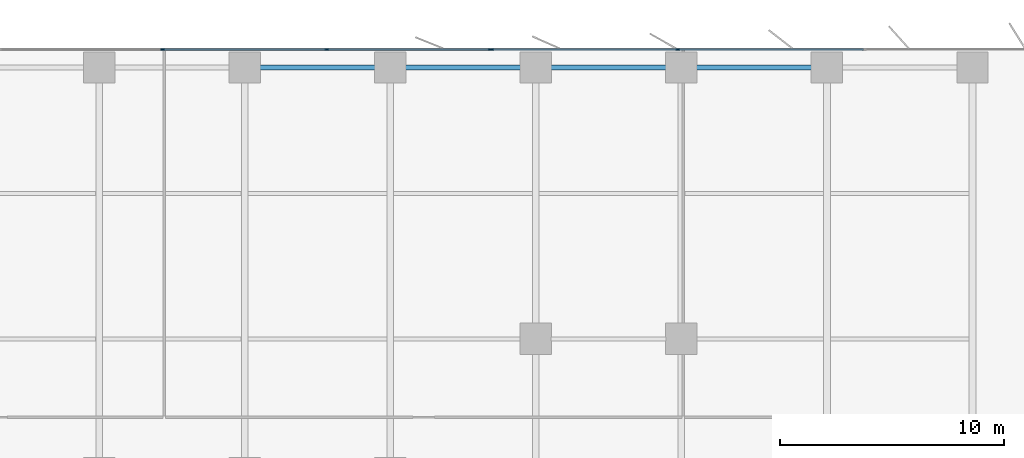
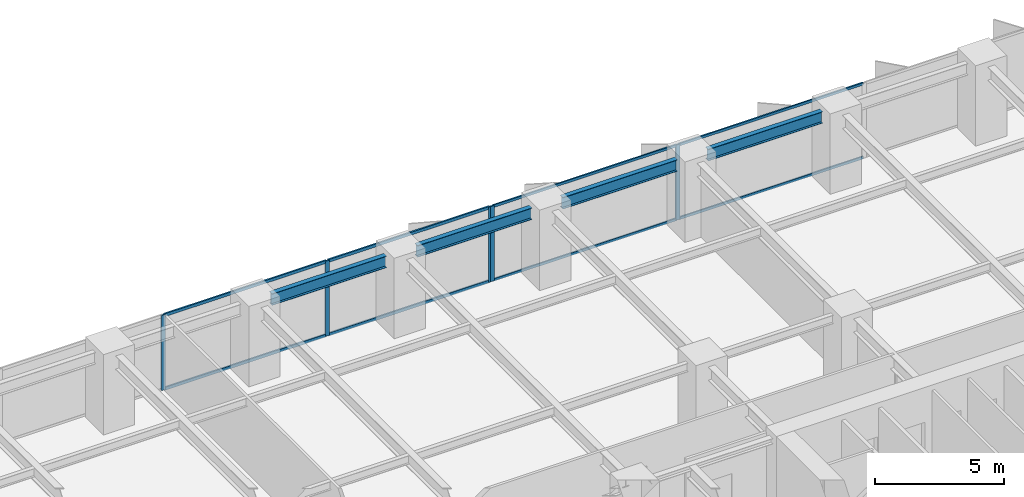
# One storey, part 9 of 20: 13 members, 4 beams, 2 elements without a shape of their own.
"""IFC4 building model written with IfcOpenShell, lengths in metres."""

from ifc_helpers import new_model, si_unit, direction, frame, origin, origin_2d, place, context, subcontext, project, spatial, rectangle, i_section, extrude, material, layer, layer_set, material_profile, profile_set, type_object, element, aggregate, save


model = new_model("IFC4")

# Units and contexts
model_context = context("Model", 3, precision=1e-05, world=origin(), true_north=direction((0.0, 1.0)))
body_context = subcontext(model_context, "Body", "Model", "MODEL_VIEW")
ifc_project = project(units=[si_unit("LENGTHUNIT", "METRE"), si_unit("AREAUNIT", "SQUARE_METRE"), si_unit("VOLUMEUNIT", "CUBIC_METRE"), si_unit("PLANEANGLEUNIT", "RADIAN"), si_unit("MASSUNIT", "GRAM", prefix="KILO")], contexts=[model_context])

# Site, building, storey
site_placement = place(None, origin())
site = spatial("IfcSite", under=ifc_project, at=site_placement, CompositionType="ELEMENT")
building_placement = place(site_placement, origin())
building = spatial("IfcBuilding", under=site, at=building_placement, Name="Putna Gate Headquarters", CompositionType="ELEMENT")
storey_placement = place(building_placement, frame((0.0, 0.0, 46.800048828125)))
storey = spatial("IfcBuildingStorey", under=building, at=storey_placement, Name="L10", CompositionType="ELEMENT", Elevation=46.800048828125)

# Beams
ifc_material_1 = material(Name="Steel S355J2", Category="steel")
ifc_material_profile_1 = material_profile(ifc_material_1, i_section(OverallWidth=0.2099609375, OverallDepth=0.550048828125, WebThickness=0.010986328125, FlangeThickness=0.01708984375, at=origin_2d()), Name="Steel S355J2")
ifc_profile_set_1 = profile_set([ifc_material_profile_1], Name="Steel S355J2")
beam_type = type_object("IfcBeamType", Name="BM-SPAN-Z1-IPE550", PredefinedType="SPANDREL", material=ifc_profile_set_1)
for number, where, z_axis, x_axis, name in (
    (1, (39.68798828125, 51.1201171875, 3.27490234375), (1.0, 0.0, 0.0), (0.0, 1.0, 0.0), "L10 N Perimeter Spandrel 6"),
    (2, (46.18798828125, 51.1201171875, 3.27490234375), (1.0, 0.0, 0.0), (0.0, 1.0, 0.0), "L10 N Perimeter Spandrel 7"),
    (3, (52.68798828125, 51.1201171875, 3.27490234375), (1.0, 0.0, 0.0), (0.0, 1.0, 0.0), "L10 N Perimeter Spandrel 8"),
    (4, (59.18798828125, 51.1201171875, 3.27490234375), (1.0, 0.0, 0.0), (0.0, 1.0, 0.0), "L10 N Perimeter Spandrel 9"),
):
    element("IfcBeam", number, at=place(storey_placement, frame(where, z_axis=z_axis, x_axis=x_axis)), inside=storey, type_object=beam_type, Name=name, PredefinedType="SPANDREL", context=body_context, shape_type="SweptSolid", body=[
        extrude(i_section(OverallWidth=0.2099609375, OverallDepth=0.550048828125, WebThickness=0.010986328125, FlangeThickness=0.01708984375, at=origin_2d()), origin(), (0.0, 0.0, 1.0), 5.1240234375),
    ])

# Curtain wall, members
ifc_material_2 = material(Name="Anodised bronze aluminium curtain wall", Category="aluminium")
ifc_layer_1 = layer(ifc_material_2, 0.179931640625)
ifc_layer_set_1 = layer_set([ifc_layer_1], Name="Anodised bronze aluminium curtain wall")
curtain_wall_type_1 = type_object("IfcCurtainWallType", Name="CW-SYS-Z1", PredefinedType="USERDEFINED", material=ifc_layer_set_1)
curtain_wall_1_placement = place(storey_placement, origin())
curtain_wall_1 = element("IfcCurtainWall", 5, at=curtain_wall_1_placement, inside=storey, type_object=curtain_wall_type_1, Name="L10 North East Curtain Wall", ObjectType="STICK CURTAIN WALL", PredefinedType="USERDEFINED")
ifc_material_3 = material(Name="Anodised bronze aluminium EN AW-6060", Category="aluminium")
ifc_material_profile_2 = material_profile(ifc_material_3, rectangle(XDim=0.070068359375, YDim=0.179931640625, at=origin_2d()), Name="Anodised bronze aluminium EN AW-6060")
ifc_profile_set_2 = profile_set([ifc_material_profile_2], Name="Anodised bronze aluminium EN AW-6060")
member_type_1 = type_object("IfcMemberType", Name="MULL-CWM-1", PredefinedType="MULLION", material=ifc_profile_set_2)
member_1_placement = place(storey_placement, frame((50.034912109375, 51.919921875, 0.0), z_axis=(0.0, 0.0, 1.0), x_axis=(0.0, 1.0, 0.0)))
member_1 = element("IfcMember", 6, at=member_1_placement, type_object=member_type_1, Name="CWS-1 mullion 1", PredefinedType="MULLION", context=body_context, shape_type="SweptSolid", body=[
    extrude(rectangle(XDim=0.070068359375, YDim=0.179931640625, at=origin_2d()), origin(), (0.0, 0.0, 1.0), 3.550048828125),
])
member_2_placement = place(storey_placement, frame((58.333251953125, 51.919921875, 0.0), z_axis=(0.0, 0.0, 1.0), x_axis=(0.0, 1.0, 0.0)))
member_2 = element("IfcMember", 7, at=member_2_placement, type_object=member_type_1, Name="CWS-1 mullion 2", PredefinedType="MULLION", context=body_context, shape_type="SweptSolid", body=[
    extrude(rectangle(XDim=0.070068359375, YDim=0.179931640625, at=origin_2d()), origin(), (0.0, 0.0, 1.0), 3.550048828125),
])

ifc_layer_2 = layer(ifc_material_2, 0.179931640625)
ifc_layer_set_2 = layer_set([ifc_layer_2], Name="Anodised bronze aluminium curtain wall")
curtain_wall_type_2 = type_object("IfcCurtainWallType", Name="CW-SYS-ATR", PredefinedType="USERDEFINED", material=ifc_layer_set_2)
curtain_wall_2_placement = place(storey_placement, origin())
curtain_wall_2 = element("IfcCurtainWall", 8, at=curtain_wall_2_placement, inside=storey, type_object=curtain_wall_type_2, Name="L10 North Atrium Clear Glazing", ObjectType="ATRIUM GLAZING", PredefinedType="USERDEFINED")
ifc_material_profile_3 = material_profile(ifc_material_3, rectangle(XDim=0.070068359375, YDim=0.179931640625, at=origin_2d()), Name="Anodised bronze aluminium EN AW-6060")
ifc_profile_set_3 = profile_set([ifc_material_profile_3], Name="Anodised bronze aluminium EN AW-6060")
member_type_2 = type_object("IfcMemberType", Name="MULL-CWM-AT", PredefinedType="MULLION", material=ifc_profile_set_3)
member_3_placement = place(storey_placement, frame((35.333251953125, 51.919921875, 0.0), z_axis=(0.0, 0.0, 1.0), x_axis=(0.0, 1.0, 0.0)))
member_3 = element("IfcMember", 9, at=member_3_placement, type_object=member_type_2, Name="CWS-AT mullion 2", PredefinedType="MULLION", context=body_context, shape_type="SweptSolid", body=[
    extrude(rectangle(XDim=0.070068359375, YDim=0.179931640625, at=origin_2d()), origin(), (0.0, 0.0, 1.0), 3.550048828125),
])
member_4_placement = place(storey_placement, frame((42.666748046875, 51.919921875, 0.0), z_axis=(0.0, 0.0, 1.0), x_axis=(0.0, 1.0, 0.0)))
member_4 = element("IfcMember", 10, at=member_4_placement, type_object=member_type_2, Name="CWS-AT mullion 3", PredefinedType="MULLION", context=body_context, shape_type="SweptSolid", body=[
    extrude(rectangle(XDim=0.070068359375, YDim=0.179931640625, at=origin_2d()), origin(), (0.0, 0.0, 1.0), 3.550048828125),
])
member_5_placement = place(storey_placement, frame((49.965087890625, 51.919921875, 0.0), z_axis=(0.0, 0.0, 1.0), x_axis=(0.0, 1.0, 0.0)))
member_5 = element("IfcMember", 11, at=member_5_placement, type_object=member_type_2, Name="CWS-AT mullion 4", PredefinedType="MULLION", context=body_context, shape_type="SweptSolid", body=[
    extrude(rectangle(XDim=0.070068359375, YDim=0.179931640625, at=origin_2d()), origin(), (0.0, 0.0, 1.0), 3.550048828125),
])

# Member
ifc_material_profile_4 = material_profile(ifc_material_3, rectangle(XDim=0.06494140625, YDim=0.1201171875, at=origin_2d()), Name="Anodised bronze aluminium EN AW-6060")
ifc_profile_set_4 = profile_set([ifc_material_profile_4], Name="Anodised bronze aluminium EN AW-6060")
member_type_3 = type_object("IfcMemberType", Name="TRAN-CWT-1", PredefinedType="USERDEFINED", material=ifc_profile_set_4)
member_6_placement = place(storey_placement, frame((50.070068359375, 51.919921875, 0.032470703125), z_axis=(1.0, 0.0, 0.0), x_axis=(0.0, 1.0, 0.0)))
member_6 = element("IfcMember", 12, at=member_6_placement, type_object=member_type_3, Name="CWS-1 transom 1.1", ObjectType="TRANSOM", PredefinedType="USERDEFINED", context=body_context, shape_type="SweptSolid", body=[
    extrude(rectangle(XDim=0.06494140625, YDim=0.1201171875, at=origin_2d()), origin(), (0.0, 0.0, 1.0), 8.228271484375),
])

member_7_placement = place(storey_placement, frame((50.070068359375, 51.919921875, 3.517333984375), z_axis=(1.0, 0.0, 0.0), x_axis=(0.0, 1.0, 0.0)))
member_7 = element("IfcMember", 13, at=member_7_placement, type_object=member_type_3, Name="CWS-1 transom 1.2", ObjectType="TRANSOM", PredefinedType="USERDEFINED", context=body_context, shape_type="SweptSolid", body=[
    extrude(rectangle(XDim=0.06494140625, YDim=0.1201171875, at=origin_2d()), origin(), (0.0, 0.0, 1.0), 8.228271484375),
])

member_8_placement = place(storey_placement, frame((58.368408203125, 51.919921875, 0.032470703125), z_axis=(1.0, 0.0, 0.0), x_axis=(0.0, 1.0, 0.0)))
member_8 = element("IfcMember", 14, at=member_8_placement, type_object=member_type_3, Name="CWS-1 transom 2.1", ObjectType="TRANSOM", PredefinedType="USERDEFINED", context=body_context, shape_type="SweptSolid", body=[
    extrude(rectangle(XDim=0.06494140625, YDim=0.1201171875, at=origin_2d()), origin(), (0.0, 0.0, 1.0), 8.26318359375),
])

member_9_placement = place(storey_placement, frame((58.368408203125, 51.919921875, 3.517333984375), z_axis=(1.0, 0.0, 0.0), x_axis=(0.0, 1.0, 0.0)))
member_9 = element("IfcMember", 15, at=member_9_placement, type_object=member_type_3, Name="CWS-1 transom 2.2", ObjectType="TRANSOM", PredefinedType="USERDEFINED", context=body_context, shape_type="SweptSolid", body=[
    extrude(rectangle(XDim=0.06494140625, YDim=0.1201171875, at=origin_2d()), origin(), (0.0, 0.0, 1.0), 8.26318359375),
])

aggregate(curtain_wall_1, [member_1, member_2, member_6, member_7, member_8, member_9])

ifc_material_profile_5 = material_profile(ifc_material_3, rectangle(XDim=0.070068359375, YDim=0.139892578125, at=origin_2d()), Name="Anodised bronze aluminium EN AW-6060")
ifc_profile_set_5 = profile_set([ifc_material_profile_5], Name="Anodised bronze aluminium EN AW-6060")
member_type_4 = type_object("IfcMemberType", Name="TRAN-CWT-AT", PredefinedType="USERDEFINED", material=ifc_profile_set_5)
member_10_placement = place(storey_placement, frame((35.368408203125, 51.919921875, 0.034912109375), z_axis=(1.0, 0.0, 0.0), x_axis=(0.0, 1.0, 0.0)))
member_10 = element("IfcMember", 16, at=member_10_placement, type_object=member_type_4, Name="CWS-AT transom 2.1", ObjectType="TRANSOM", PredefinedType="USERDEFINED", context=body_context, shape_type="SweptSolid", body=[
    extrude(rectangle(XDim=0.070068359375, YDim=0.139892578125, at=origin_2d()), origin(), (0.0, 0.0, 1.0), 7.26318359375),
])

member_11_placement = place(storey_placement, frame((35.368408203125, 51.919921875, 3.514892578125), z_axis=(1.0, 0.0, 0.0), x_axis=(0.0, 1.0, 0.0)))
member_11 = element("IfcMember", 17, at=member_11_placement, type_object=member_type_4, Name="CWS-AT transom 2.2", ObjectType="TRANSOM", PredefinedType="USERDEFINED", context=body_context, shape_type="SweptSolid", body=[
    extrude(rectangle(XDim=0.070068359375, YDim=0.139892578125, at=origin_2d()), origin(), (0.0, 0.0, 1.0), 7.26318359375),
])

member_12_placement = place(storey_placement, frame((42.70166015625, 51.919921875, 0.034912109375), z_axis=(1.0, 0.0, 0.0), x_axis=(0.0, 1.0, 0.0)))
member_12 = element("IfcMember", 18, at=member_12_placement, type_object=member_type_4, Name="CWS-AT transom 3.1", ObjectType="TRANSOM", PredefinedType="USERDEFINED", context=body_context, shape_type="SweptSolid", body=[
    extrude(rectangle(XDim=0.070068359375, YDim=0.139892578125, at=origin_2d()), origin(), (0.0, 0.0, 1.0), 7.228271484375),
])

member_13_placement = place(storey_placement, frame((42.70166015625, 51.919921875, 3.514892578125), z_axis=(1.0, 0.0, 0.0), x_axis=(0.0, 1.0, 0.0)))
member_13 = element("IfcMember", 19, at=member_13_placement, type_object=member_type_4, Name="CWS-AT transom 3.2", ObjectType="TRANSOM", PredefinedType="USERDEFINED", context=body_context, shape_type="SweptSolid", body=[
    extrude(rectangle(XDim=0.070068359375, YDim=0.139892578125, at=origin_2d()), origin(), (0.0, 0.0, 1.0), 7.228271484375),
])

aggregate(curtain_wall_2, [member_3, member_4, member_5, member_10, member_11, member_12, member_13])

save(model, "model.ifc")
